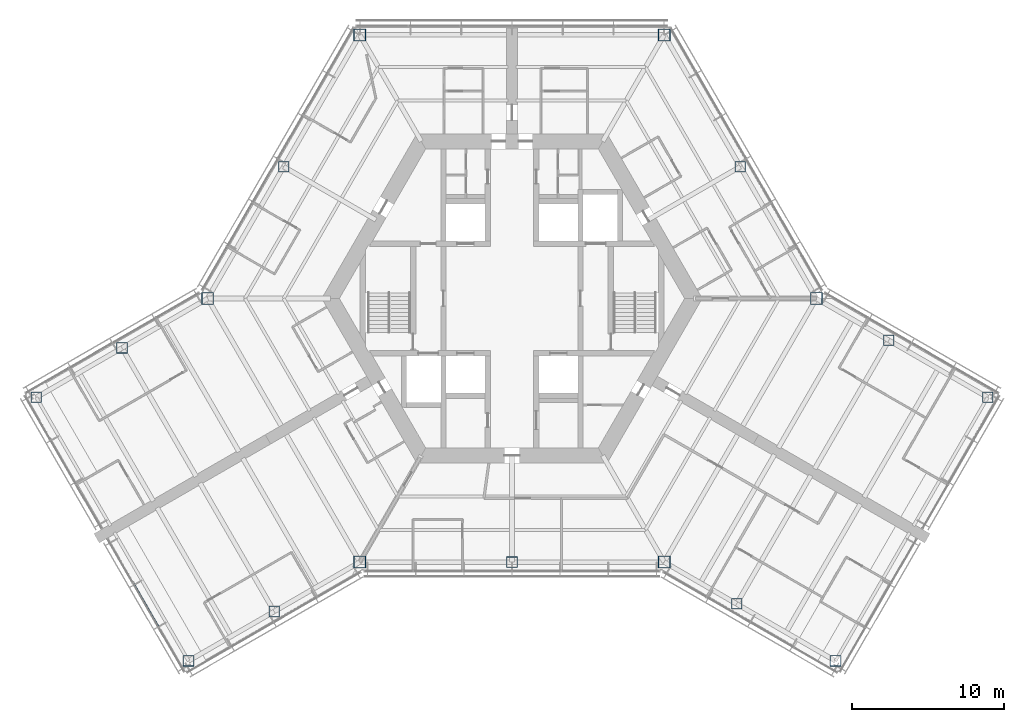
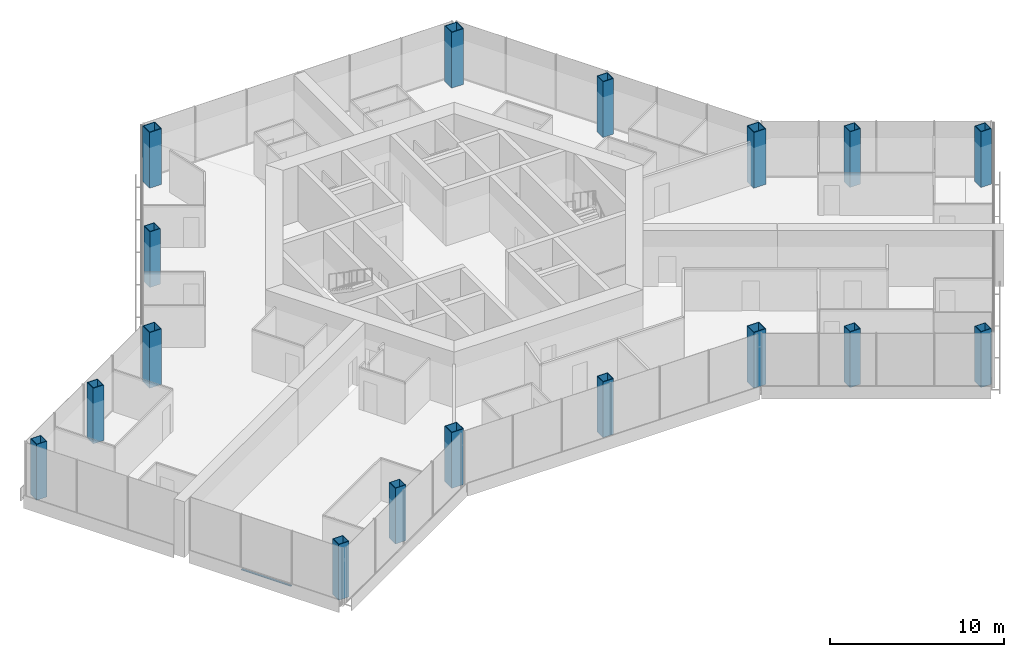
# One storey, part 1 of 18: 17 columns, 1 member, 1 element without a shape of its own.
"""IFC4 building model written with IfcOpenShell, lengths in metres."""

from ifc_helpers import new_model, si_unit, direction, frame, origin, origin_2d, place, context, subcontext, project, spatial, rectangle, hollow_rectangle, extrude, material, material_profile, profile_set, type_object, element, aggregate, save


model = new_model("IFC4")

# Units and contexts
model_context = context("Model", 3, precision=1e-05, world=origin(), true_north=direction((0.0, 1.0)))
body_context = subcontext(model_context, "Body", "Model", "MODEL_VIEW")
ifc_project = project(units=[si_unit("LENGTHUNIT", "METRE"), si_unit("AREAUNIT", "SQUARE_METRE"), si_unit("VOLUMEUNIT", "CUBIC_METRE"), si_unit("PLANEANGLEUNIT", "RADIAN"), si_unit("MASSUNIT", "GRAM", prefix="KILO")], contexts=[model_context])

# Site, building, storey
site_placement = place(None, origin())
site = spatial("IfcSite", under=ifc_project, at=site_placement, CompositionType="ELEMENT")
building_placement = place(site_placement, origin())
building = spatial("IfcBuilding", under=site, at=building_placement, Name="Kasaneha Research Tower", CompositionType="ELEMENT")
storey_placement = place(building_placement, frame((0.0, 0.0, 176.0)))
storey = spatial("IfcBuildingStorey", under=building, at=storey_placement, Name="L44", CompositionType="ELEMENT", Elevation=176.0)

# Columns
ifc_material_1 = material(Name="Steel SN490C", Category="steel")
ifc_material_profile_1 = material_profile(ifc_material_1, hollow_rectangle(XDim=0.800048828125, YDim=0.800048828125, WallThickness=0.044921875, at=origin_2d()), Name="BOX-800x800x45")
ifc_profile_set_1 = profile_set([ifc_material_profile_1], Name="Steel SN490C")
column_type_1 = type_object("IfcColumnType", Name="C3A column BOX-800x800x45", PredefinedType="COLUMN", material=ifc_profile_set_1)
for number, where, z_axis, x_axis, name in (
    (1, (20.0, 0.0, 0.0), (0.0, 0.0, 1.0), (1.0, 0.0, 0.0), "Column V0 L44"),
    (2, (10.0, 17.320556640625, 0.0), (0.0, 0.0, 1.0), (1.0, 0.0, 0.0), "Column V1 L44"),
    (3, (-10.0, 17.320556640625, 0.0), (0.0, 0.0, 1.0), (1.0, 0.0, 0.0), "Column V2 L44"),
    (4, (-20.0, 0.0, 0.0), (0.0, 0.0, 1.0), (1.0, 0.0, 0.0), "Column V3 L44"),
    (5, (-10.0, -17.320556640625, 0.0), (0.0, 0.0, 1.0), (1.0, 0.0, 0.0), "Column V4 L44"),
    (6, (10.0, -17.320556640625, 0.0), (0.0, 0.0, 1.0), (1.0, 0.0, 0.0), "Column V5 L44"),
):
    element("IfcColumn", number, at=place(storey_placement, frame(where, z_axis=z_axis, x_axis=x_axis)), inside=storey, type_object=column_type_1, Name=name, PredefinedType="COLUMN", context=body_context, shape_type="SweptSolid", body=[
        extrude(hollow_rectangle(XDim=0.800048828125, YDim=0.800048828125, WallThickness=0.044921875, at=origin_2d()), origin(), (0.0, 0.0, 1.0), 3.89990234375),
    ])
ifc_material_2 = material(Name="Steel SN490C", Category="steel")
ifc_material_profile_2 = material_profile(ifc_material_2, hollow_rectangle(XDim=0.699951171875, YDim=0.699951171875, WallThickness=0.035888671875, at=origin_2d()), Name="BOX-700x700x36")
ifc_profile_set_2 = profile_set([ifc_material_profile_2], Name="Steel SN490C")
column_type_2 = type_object("IfcColumnType", Name="C3B column BOX-700x700x36", PredefinedType="COLUMN", material=ifc_profile_set_2)
for number, where, z_axis, x_axis, name in (
    (7, (15.0, 8.66015625, 0.0), (0.0, 0.0, 1.0), (1.0, 0.0, 0.0), "Column M030 L44"),
    (8, (-15.0, 8.66015625, 0.0), (0.0, 0.0, 1.0), (1.0, 0.0, 0.0), "Column M150 L44"),
    (9, (0.0, -17.320556640625, 0.0), (0.0, 0.0, 1.0), (1.0, 0.0, 0.0), "Column M270 L44"),
    (10, (-25.629150390625, -3.25, 0.0), (0.0, 0.0, 1.0), (1.0, 0.0, 0.0), "Column BSP L44"),
    (11, (-31.25830078125, -6.5, 0.0), (0.0, 0.0, 1.0), (1.0, 0.0, 0.0), "Column BTP L44"),
    (12, (-15.629150390625, -20.570556640625, 0.0), (0.0, 0.0, 1.0), (1.0, 0.0, 0.0), "Column BSN L44"),
    (13, (-21.25830078125, -23.820556640625, 0.0), (0.0, 0.0, 1.0), (1.0, 0.0, 0.0), "Column BTN L44"),
    (14, (14.76318359375, -20.070556640625, 0.0), (0.0, 0.0, 1.0), (1.0, 0.0, 0.0), "Column CSP L44"),
    (15, (21.25830078125, -23.820556640625, 0.0), (0.0, 0.0, 1.0), (1.0, 0.0, 0.0), "Column CTP L44"),
    (16, (24.76318359375, -2.75, 0.0), (0.0, 0.0, 1.0), (1.0, 0.0, 0.0), "Column CSN L44"),
    (17, (31.25830078125, -6.5, 0.0), (0.0, 0.0, 1.0), (1.0, 0.0, 0.0), "Column CTN L44"),
):
    element("IfcColumn", number, at=place(storey_placement, frame(where, z_axis=z_axis, x_axis=x_axis)), inside=storey, type_object=column_type_2, Name=name, PredefinedType="COLUMN", context=body_context, shape_type="SweptSolid", body=[
        extrude(hollow_rectangle(XDim=0.699951171875, YDim=0.699951171875, WallThickness=0.035888671875, at=origin_2d()), origin(), (0.0, 0.0, 1.0), 3.89990234375),
    ])

# Curtain wall, member
ifc_material_3 = material(Name="Glass and aluminium", Category="aluminium")
curtain_wall_type = type_object("IfcCurtainWallType", Name="Mid-rise office curtain wall", PredefinedType="USERDEFINED", material=ifc_material_3)
curtain_wall_placement = place(storey_placement, origin())
curtain_wall = element("IfcCurtainWall", 18, at=curtain_wall_placement, inside=storey, type_object=curtain_wall_type, Name="CW-O2 L44 run 11a", ObjectType="UNITISED CURTAIN WALL", PredefinedType="USERDEFINED")
ifc_material_4 = material(Name="Aluminium 6063-T6", Category="aluminium")
ifc_material_profile_3 = material_profile(ifc_material_4, rectangle(XDim=0.110107421875, YDim=0.06005859375, at=origin_2d()), Name="CW-O2 transom 110x60")
ifc_profile_set_3 = profile_set([ifc_material_profile_3], Name="Aluminium 6063-T6")
member_type = type_object("IfcMemberType", Name="CW-O2 transom", PredefinedType="USERDEFINED", material=ifc_profile_set_3)
member_placement = place(storey_placement, frame((-24.896240234375, -18.719482421875, 0.030029296875), z_axis=(0.500010745865, -0.866019199568, 0.0), x_axis=(0.866019199568, 0.500010745865, 0.0)))
member = element("IfcMember", 19, at=member_placement, type_object=member_type, Name="CW-O2 transom 2", ObjectType="TRANSOM", PredefinedType="USERDEFINED", context=body_context, shape_type="SweptSolid", body=[
    extrude(rectangle(XDim=0.110107421875, YDim=0.06005859375, at=origin_2d()), origin(), (0.0, 0.0, 1.0), 3.3232421875),
])
aggregate(curtain_wall, [member])

save(model, "model.ifc")
